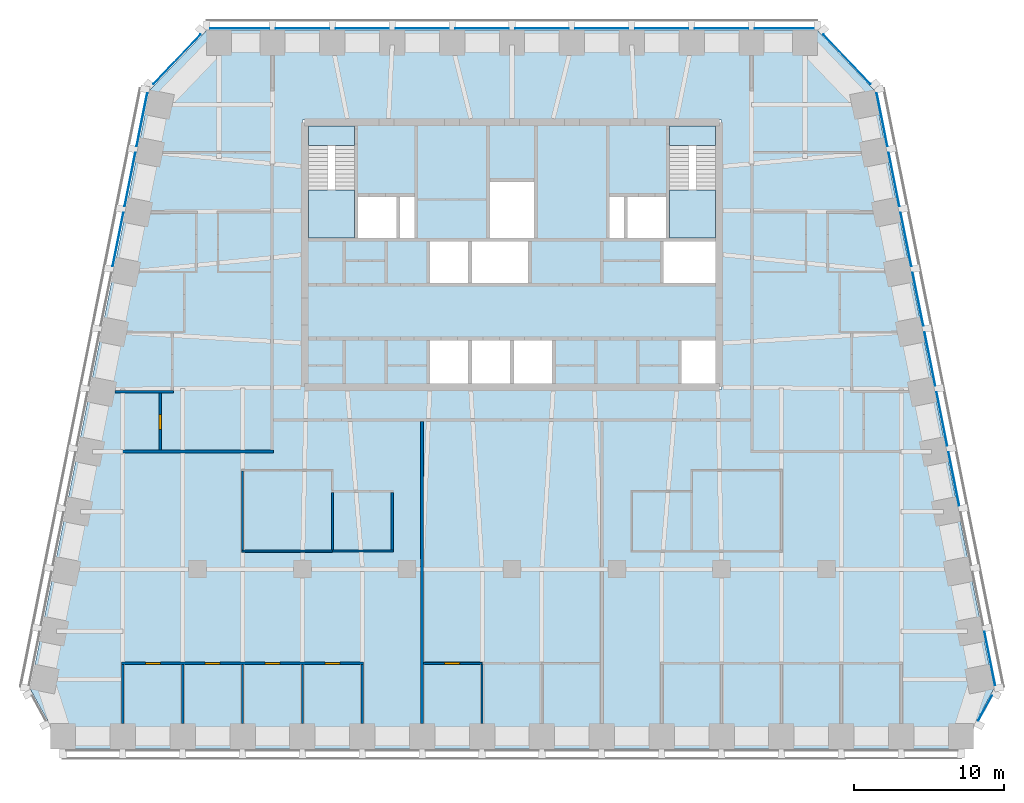
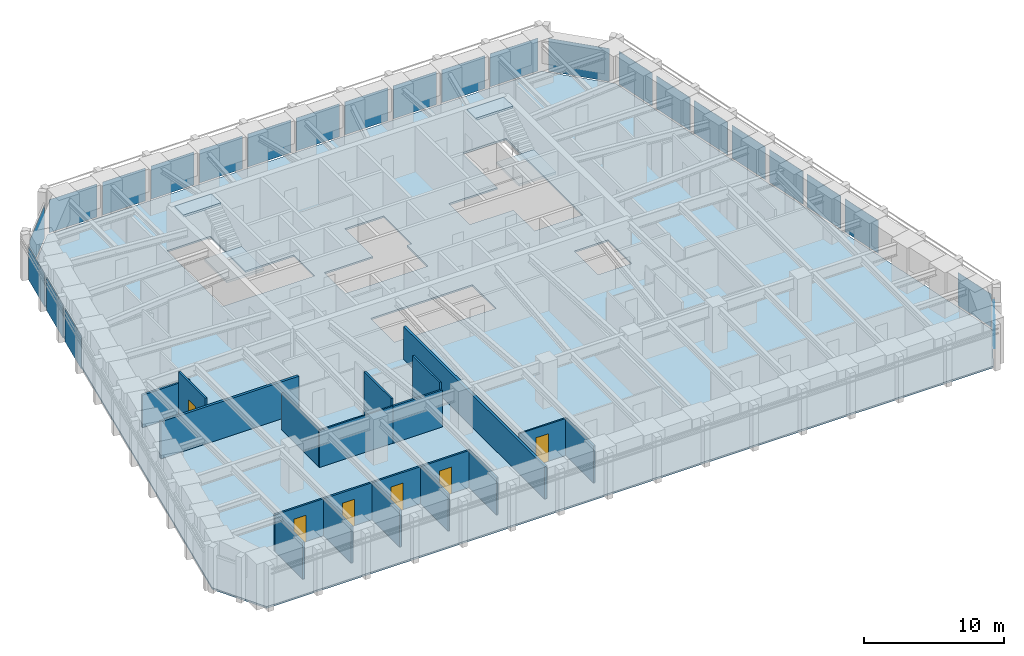
# One storey, part 5 of 11: 24 plates, 17 walls, 6 doors, 5 slabs, 6 openings, 8 elements without a shape of their own.
"""IFC4 building model written with IfcOpenShell, lengths in metres."""

from ifc_helpers import new_model, si_unit, direction, frame, frame_2d, origin, origin_2d, place, context, subcontext, project, spatial, polyline, rectangle, outline, extrude, material, layer, layer_set, type_object, element, fill, aggregate, save


model = new_model("IFC4")

# Units and contexts
model_context = context("Model", 3, precision=1e-05, world=origin(), true_north=direction((0.0, 1.0)))
body_context = subcontext(model_context, "Body", "Model", "MODEL_VIEW")
ifc_project = project(units=[si_unit("LENGTHUNIT", "METRE"), si_unit("AREAUNIT", "SQUARE_METRE"), si_unit("VOLUMEUNIT", "CUBIC_METRE"), si_unit("PLANEANGLEUNIT", "RADIAN"), si_unit("MASSUNIT", "GRAM", prefix="KILO")], contexts=[model_context])

# Site, building, storey
site_placement = place(None, origin())
site = spatial("IfcSite", under=ifc_project, at=site_placement, CompositionType="ELEMENT")
building_placement = place(site_placement, origin())
building = spatial("IfcBuilding", under=site, at=building_placement, Name="Isbrekke Arena Tower", CompositionType="ELEMENT")
storey_placement = place(building_placement, frame((0.0, 0.0, 252.0)))
storey = spatial("IfcBuildingStorey", under=building, at=storey_placement, Name="L58", CompositionType="ELEMENT", Elevation=252.0)

# Curtain wall, plate
ifc_material_1 = material(Name="Glazed aluminium curtain wall", Category="aluminium")
curtain_wall_type = type_object("IfcCurtainWallType", Name="CWT TOWER CURTAIN WALL TOP ZONE", PredefinedType="USERDEFINED", material=ifc_material_1)
curtain_wall_1_placement = place(storey_placement, origin())
curtain_wall_1 = element("IfcCurtainWall", 1, at=curtain_wall_1_placement, inside=storey, type_object=curtain_wall_type, Name="CWT curtain wall L58-SE", ObjectType="TOWER CURTAIN WALL TOP ZONE", PredefinedType="USERDEFINED")
ifc_material_2 = material(Name="Triple-glazed clear glass unit", Category="glass")
ifc_layer_1 = layer(ifc_material_2, 0.031982421875)
ifc_layer_set_1 = layer_set([ifc_layer_1], Name="CWT-P VISION PANEL")
plate_type = type_object("IfcPlateType", Name="CWT-P VISION PANEL", PredefinedType="CURTAIN_PANEL", material=ifc_layer_set_1)
plate_1_placement = place(storey_placement, frame((31.604248046875, -15.29052734375, 0.02001953125), z_axis=(0.0, 0.0, 1.0), x_axis=(0.481918749773, 0.876215908676, 0.0)))
plate_1 = element("IfcPlate", 2, at=plate_1_placement, type_object=plate_type, Name="CWT-P panel 1", PredefinedType="CURTAIN_PANEL", context=body_context, shape_type="SweptSolid", body=[
    extrude(rectangle(XDim=1.876220703125, YDim=0.031982421875, at=origin_2d()), origin(), (0.0, 0.0, 1.0), 2.8798828125),
])
aggregate(curtain_wall_1, [plate_1])

# Curtain wall, plates
curtain_wall_2_placement = place(storey_placement, origin())
curtain_wall_2 = element("IfcCurtainWall", 3, at=curtain_wall_2_placement, inside=storey, type_object=curtain_wall_type, Name="CWT curtain wall L58-E", ObjectType="TOWER CURTAIN WALL TOP ZONE", PredefinedType="USERDEFINED")
plate_2_placement = place(storey_placement, frame((31.922607421875, -11.9755859375, 0.02001953125), z_axis=(0.0, 0.0, 1.0), x_axis=(-0.196116135138, 0.980580675691, 0.0)))
plate_2 = element("IfcPlate", 4, at=plate_2_placement, type_object=plate_type, Name="CWT-P panel 1", PredefinedType="CURTAIN_PANEL", context=body_context, shape_type="SweptSolid", body=[
    extrude(rectangle(XDim=3.629150390625, YDim=0.031982421875, at=origin_2d()), origin(), (0.0, 0.0, 1.0), 2.8798828125),
])
plate_3_placement = place(storey_placement, frame((29.5224609375, 0.0244140625, 0.02001953125), z_axis=(0.0, 0.0, 1.0), x_axis=(-0.196116135138, 0.980580675691, 0.0)))
plate_3 = element("IfcPlate", 5, at=plate_3_placement, type_object=plate_type, Name="CWT-P panel 4", PredefinedType="CURTAIN_PANEL", context=body_context, shape_type="SweptSolid", body=[
    extrude(rectangle(XDim=3.629150390625, YDim=0.031982421875, at=origin_2d()), origin(), (0.0, 0.0, 1.0), 2.8798828125),
])
plate_4_placement = place(storey_placement, frame((28.72265625, 4.0244140625, 0.02001953125), z_axis=(0.0, 0.0, 1.0), x_axis=(-0.196116135138, 0.980580675691, 0.0)))
plate_4 = element("IfcPlate", 6, at=plate_4_placement, type_object=plate_type, Name="CWT-P panel 5", PredefinedType="CURTAIN_PANEL", context=body_context, shape_type="SweptSolid", body=[
    extrude(rectangle(XDim=3.629150390625, YDim=0.031982421875, at=origin_2d()), origin(), (0.0, 0.0, 1.0), 2.8798828125),
])
plate_5_placement = place(storey_placement, frame((27.922607421875, 8.0244140625, 0.02001953125), z_axis=(0.0, 0.0, 1.0), x_axis=(-0.196116135138, 0.980580675691, 0.0)))
plate_5 = element("IfcPlate", 7, at=plate_5_placement, type_object=plate_type, Name="CWT-P panel 6", PredefinedType="CURTAIN_PANEL", context=body_context, shape_type="SweptSolid", body=[
    extrude(rectangle(XDim=3.629150390625, YDim=0.031982421875, at=origin_2d()), origin(), (0.0, 0.0, 1.0), 2.8798828125),
])
plate_6_placement = place(storey_placement, frame((27.12255859375, 12.0244140625, 0.02001953125), z_axis=(0.0, 0.0, 1.0), x_axis=(-0.196116135138, 0.980580675691, 0.0)))
plate_6 = element("IfcPlate", 8, at=plate_6_placement, type_object=plate_type, Name="CWT-P panel 7", PredefinedType="CURTAIN_PANEL", context=body_context, shape_type="SweptSolid", body=[
    extrude(rectangle(XDim=3.629150390625, YDim=0.031982421875, at=origin_2d()), origin(), (0.0, 0.0, 1.0), 2.8798828125),
])
plate_7_placement = place(storey_placement, frame((26.322509765625, 16.0244140625, 0.02001953125), z_axis=(0.0, 0.0, 1.0), x_axis=(-0.196116135138, 0.980580675691, 0.0)))
plate_7 = element("IfcPlate", 9, at=plate_7_placement, type_object=plate_type, Name="CWT-P panel 8", PredefinedType="CURTAIN_PANEL", context=body_context, shape_type="SweptSolid", body=[
    extrude(rectangle(XDim=3.629150390625, YDim=0.031982421875, at=origin_2d()), origin(), (0.0, 0.0, 1.0), 2.8798828125),
])
plate_8_placement = place(storey_placement, frame((25.5224609375, 20.0244140625, 0.02001953125), z_axis=(0.0, 0.0, 1.0), x_axis=(-0.196116135138, 0.980580675691, 0.0)))
plate_8 = element("IfcPlate", 10, at=plate_8_placement, type_object=plate_type, Name="CWT-P panel 9", PredefinedType="CURTAIN_PANEL", context=body_context, shape_type="SweptSolid", body=[
    extrude(rectangle(XDim=3.629150390625, YDim=0.031982421875, at=origin_2d()), origin(), (0.0, 0.0, 1.0), 2.8798828125),
])
plate_9_placement = place(storey_placement, frame((24.72265625, 24.0244140625, 0.02001953125), z_axis=(0.0, 0.0, 1.0), x_axis=(-0.196116135138, 0.980580675691, 0.0)))
plate_9 = element("IfcPlate", 11, at=plate_9_placement, type_object=plate_type, Name="CWT-P panel 10", PredefinedType="CURTAIN_PANEL", context=body_context, shape_type="SweptSolid", body=[
    extrude(rectangle(XDim=3.629150390625, YDim=0.031982421875, at=origin_2d()), origin(), (0.0, 0.0, 1.0), 2.8798828125),
])
aggregate(curtain_wall_2, [plate_2, plate_3, plate_4, plate_5, plate_6, plate_7, plate_8, plate_9])

# Curtain wall, plate
curtain_wall_3_placement = place(storey_placement, origin())
curtain_wall_3 = element("IfcCurtainWall", 12, at=curtain_wall_3_placement, inside=storey, type_object=curtain_wall_type, Name="CWT curtain wall L58-EN", ObjectType="TOWER CURTAIN WALL TOP ZONE", PredefinedType="USERDEFINED")
plate_10_placement = place(storey_placement, frame((22.374755859375, 28.06640625, 0.02001953125), z_axis=(0.0, 0.0, 1.0), x_axis=(-0.68874946192, 0.72499943359, 0.0)))
plate_10 = element("IfcPlate", 13, at=plate_10_placement, type_object=plate_type, Name="CWT-P panel 1", PredefinedType="CURTAIN_PANEL", context=body_context, shape_type="SweptSolid", body=[
    extrude(rectangle(XDim=4.558349609375, YDim=0.031982421875, at=origin_2d()), origin(), (0.0, 0.0, 1.0), 2.8798828125),
])
aggregate(curtain_wall_3, [plate_10])

# Curtain wall, plates
curtain_wall_4_placement = place(storey_placement, origin())
curtain_wall_4 = element("IfcCurtainWall", 14, at=curtain_wall_4_placement, inside=storey, type_object=curtain_wall_type, Name="CWT curtain wall L58-N", ObjectType="TOWER CURTAIN WALL TOP ZONE", PredefinedType="USERDEFINED")
plate_11_placement = place(storey_placement, frame((18.199951171875, 30.125, 0.02001953125), z_axis=(0.0, 0.0, 1.0), x_axis=(-1.0, 0.0, 0.0)))
plate_11 = element("IfcPlate", 15, at=plate_11_placement, type_object=plate_type, Name="CWT-P panel 1", PredefinedType="CURTAIN_PANEL", context=body_context, shape_type="SweptSolid", body=[
    extrude(rectangle(XDim=3.949951171875, YDim=0.031982421875, at=origin_2d()), origin(), (0.0, 0.0, 1.0), 2.8798828125),
])
plate_12_placement = place(storey_placement, frame((14.0, 30.125, 0.02001953125), z_axis=(0.0, 0.0, 1.0), x_axis=(-1.0, 0.0, 0.0)))
plate_12 = element("IfcPlate", 16, at=plate_12_placement, type_object=plate_type, Name="CWT-P panel 2", PredefinedType="CURTAIN_PANEL", context=body_context, shape_type="SweptSolid", body=[
    extrude(rectangle(XDim=3.550048828125, YDim=0.031982421875, at=origin_2d()), origin(), (0.0, 0.0, 1.0), 2.8798828125),
])
plate_13_placement = place(storey_placement, frame((10.0, 30.125, 0.02001953125), z_axis=(0.0, 0.0, 1.0), x_axis=(-1.0, 0.0, 0.0)))
plate_13 = element("IfcPlate", 17, at=plate_13_placement, type_object=plate_type, Name="CWT-P panel 3", PredefinedType="CURTAIN_PANEL", context=body_context, shape_type="SweptSolid", body=[
    extrude(rectangle(XDim=3.550048828125, YDim=0.031982421875, at=origin_2d()), origin(), (0.0, 0.0, 1.0), 2.8798828125),
])
plate_14_placement = place(storey_placement, frame((6.0, 30.125, 0.02001953125), z_axis=(0.0, 0.0, 1.0), x_axis=(-1.0, 0.0, 0.0)))
plate_14 = element("IfcPlate", 18, at=plate_14_placement, type_object=plate_type, Name="CWT-P panel 4", PredefinedType="CURTAIN_PANEL", context=body_context, shape_type="SweptSolid", body=[
    extrude(rectangle(XDim=3.550048828125, YDim=0.031982421875, at=origin_2d()), origin(), (0.0, 0.0, 1.0), 2.8798828125),
])
plate_15_placement = place(storey_placement, frame((2.0, 30.125, 0.02001953125), z_axis=(0.0, 0.0, 1.0), x_axis=(-1.0, 0.0, 0.0)))
plate_15 = element("IfcPlate", 19, at=plate_15_placement, type_object=plate_type, Name="CWT-P panel 5", PredefinedType="CURTAIN_PANEL", context=body_context, shape_type="SweptSolid", body=[
    extrude(rectangle(XDim=3.550048828125, YDim=0.031982421875, at=origin_2d()), origin(), (0.0, 0.0, 1.0), 2.8798828125),
])
plate_16_placement = place(storey_placement, frame((-2.0, 30.125, 0.02001953125), z_axis=(0.0, 0.0, 1.0), x_axis=(-1.0, 0.0, 0.0)))
plate_16 = element("IfcPlate", 20, at=plate_16_placement, type_object=plate_type, Name="CWT-P panel 6", PredefinedType="CURTAIN_PANEL", context=body_context, shape_type="SweptSolid", body=[
    extrude(rectangle(XDim=3.550048828125, YDim=0.031982421875, at=origin_2d()), origin(), (0.0, 0.0, 1.0), 2.8798828125),
])
plate_17_placement = place(storey_placement, frame((-6.0, 30.125, 0.02001953125), z_axis=(0.0, 0.0, 1.0), x_axis=(-1.0, 0.0, 0.0)))
plate_17 = element("IfcPlate", 21, at=plate_17_placement, type_object=plate_type, Name="CWT-P panel 7", PredefinedType="CURTAIN_PANEL", context=body_context, shape_type="SweptSolid", body=[
    extrude(rectangle(XDim=3.550048828125, YDim=0.031982421875, at=origin_2d()), origin(), (0.0, 0.0, 1.0), 2.8798828125),
])
plate_18_placement = place(storey_placement, frame((-10.0, 30.125, 0.02001953125), z_axis=(0.0, 0.0, 1.0), x_axis=(-1.0, 0.0, 0.0)))
plate_18 = element("IfcPlate", 22, at=plate_18_placement, type_object=plate_type, Name="CWT-P panel 8", PredefinedType="CURTAIN_PANEL", context=body_context, shape_type="SweptSolid", body=[
    extrude(rectangle(XDim=3.550048828125, YDim=0.031982421875, at=origin_2d()), origin(), (0.0, 0.0, 1.0), 2.8798828125),
])
plate_19_placement = place(storey_placement, frame((-14.0, 30.125, 0.02001953125), z_axis=(0.0, 0.0, 1.0), x_axis=(-1.0, 0.0, 0.0)))
plate_19 = element("IfcPlate", 23, at=plate_19_placement, type_object=plate_type, Name="CWT-P panel 9", PredefinedType="CURTAIN_PANEL", context=body_context, shape_type="SweptSolid", body=[
    extrude(rectangle(XDim=3.550048828125, YDim=0.031982421875, at=origin_2d()), origin(), (0.0, 0.0, 1.0), 2.8798828125),
])
plate_20_placement = place(storey_placement, frame((-18.199951171875, 30.125, 0.02001953125), z_axis=(0.0, 0.0, 1.0), x_axis=(-1.0, 0.0, 0.0)))
plate_20 = element("IfcPlate", 24, at=plate_20_placement, type_object=plate_type, Name="CWT-P panel 10", PredefinedType="CURTAIN_PANEL", context=body_context, shape_type="SweptSolid", body=[
    extrude(rectangle(XDim=3.949951171875, YDim=0.031982421875, at=origin_2d()), origin(), (0.0, 0.0, 1.0), 2.8798828125),
])
aggregate(curtain_wall_4, [plate_11, plate_12, plate_13, plate_14, plate_15, plate_16, plate_17, plate_18, plate_19, plate_20])

# Curtain wall, plate
curtain_wall_5_placement = place(storey_placement, origin())
curtain_wall_5 = element("IfcCurtainWall", 25, at=curtain_wall_5_placement, inside=storey, type_object=curtain_wall_type, Name="CWT curtain wall L58-NW", ObjectType="TOWER CURTAIN WALL TOP ZONE", PredefinedType="USERDEFINED")
plate_21_placement = place(storey_placement, frame((-22.37451171875, 28.066650390625, 0.02001953125), z_axis=(0.0, 0.0, 1.0), x_axis=(-0.68874946192, -0.72499943359, 0.0)))
plate_21 = element("IfcPlate", 26, at=plate_21_placement, type_object=plate_type, Name="CWT-P panel 1", PredefinedType="CURTAIN_PANEL", context=body_context, shape_type="SweptSolid", body=[
    extrude(rectangle(XDim=4.557373046875, YDim=0.031982421875, at=origin_2d()), origin(), (0.0, 0.0, 1.0), 2.8798828125),
])
aggregate(curtain_wall_5, [plate_21])

# Curtain wall, plates
curtain_wall_6_placement = place(storey_placement, origin())
curtain_wall_6 = element("IfcCurtainWall", 27, at=curtain_wall_6_placement, inside=storey, type_object=curtain_wall_type, Name="CWT curtain wall L58-W", ObjectType="TOWER CURTAIN WALL TOP ZONE", PredefinedType="USERDEFINED")
plate_22_placement = place(storey_placement, frame((-24.72265625, 24.0244140625, 0.02001953125), z_axis=(0.0, 0.0, 1.0), x_axis=(-0.196116135138, -0.980580675691, 0.0)))
plate_22 = element("IfcPlate", 28, at=plate_22_placement, type_object=plate_type, Name="CWT-P panel 1", PredefinedType="CURTAIN_PANEL", context=body_context, shape_type="SweptSolid", body=[
    extrude(rectangle(XDim=3.629150390625, YDim=0.031982421875, at=origin_2d()), origin(), (0.0, 0.0, 1.0), 2.8798828125),
])
plate_23_placement = place(storey_placement, frame((-25.5224609375, 20.0244140625, 0.02001953125), z_axis=(0.0, 0.0, 1.0), x_axis=(-0.196116135138, -0.980580675691, 0.0)))
plate_23 = element("IfcPlate", 29, at=plate_23_placement, type_object=plate_type, Name="CWT-P panel 2", PredefinedType="CURTAIN_PANEL", context=body_context, shape_type="SweptSolid", body=[
    extrude(rectangle(XDim=3.629150390625, YDim=0.031982421875, at=origin_2d()), origin(), (0.0, 0.0, 1.0), 2.8798828125),
])
plate_24_placement = place(storey_placement, frame((-26.322509765625, 16.0244140625, 0.02001953125), z_axis=(0.0, 0.0, 1.0), x_axis=(-0.196116135138, -0.980580675691, 0.0)))
plate_24 = element("IfcPlate", 30, at=plate_24_placement, type_object=plate_type, Name="CWT-P panel 3", PredefinedType="CURTAIN_PANEL", context=body_context, shape_type="SweptSolid", body=[
    extrude(rectangle(XDim=3.629150390625, YDim=0.031982421875, at=origin_2d()), origin(), (0.0, 0.0, 1.0), 2.8798828125),
])
aggregate(curtain_wall_6, [plate_22, plate_23, plate_24])

# Slab
ifc_material_3 = material(Name="Concrete B35 (C35/45)", Category="concrete")
ifc_layer_2 = layer(ifc_material_3, 0.14990234375)
ifc_layer_set_2 = layer_set([ifc_layer_2], Name="FS1 COMPOSITE FLOOR 150")
slab_type_1 = type_object("IfcSlabType", Name="FS1 COMPOSITE FLOOR 150", PredefinedType="FLOOR", material=ifc_layer_set_2)
slab_1_placement = place(storey_placement, frame((0.0, 0.0, -0.14990234375)))
element("IfcSlab", 31, at=slab_1_placement, inside=storey, type_object=slab_type_1, Name="FS1 floor slab L58", PredefinedType="FLOOR", context=body_context, shape_type="SweptSolid", body=[
    extrude(outline(polyline([(-30.0, -18.0), (30.0, -18.0), (32.199951171875, -14.0), (24.199951171875, 26.0), (20.39990234375, 30.0), (-20.39990234375, 30.0), (-24.199951171875, 26.0), (-32.199951171875, -14.0), (-30.0, -18.0)]), holes=[polyline([(2.800048828125, 9.39990234375), (2.800048828125, 6.0), (-5.60009765625, 6.0), (-5.60009765625, 9.39990234375), (2.800048828125, 9.39990234375)]), polyline([(11.199951171875, 6.0), (11.199951171875, 9.39990234375), (14.0, 9.39990234375), (14.0, 6.0), (11.199951171875, 6.0)]), polyline([(-5.60009765625, 13.0), (-5.60009765625, 16.0), (-1.60009765625, 16.0), (-1.60009765625, 20.0), (1.60009765625, 20.0), (1.60009765625, 16.0), (1.199951171875, 16.0), (1.199951171875, 13.0), (-5.60009765625, 13.0)]), polyline([(14.0, 13.0), (10.0, 13.0), (10.0, 16.0), (6.39990234375, 16.0), (6.39990234375, 19.0), (10.39990234375, 19.0), (10.39990234375, 24.0), (14.0, 24.0), (14.0, 13.0)]), polyline([(-6.39990234375, 19.0), (-6.39990234375, 16.0), (-14.0, 16.0), (-14.0, 24.0), (-10.39990234375, 24.0), (-10.39990234375, 19.0), (-6.39990234375, 19.0)])]), origin(), (0.0, 0.0, 1.0), 0.14990234375),
])

# Stair, slabs
ifc_material_4 = material(Name="Concrete B45 (C45/55) precast", Category="concrete")
stair_type = type_object("IfcStairType", Name="ST40 STAIR 1300 WIDE, 24 RISERS 167", PredefinedType="HALF_TURN_STAIR", material=ifc_material_4)
stair_1_placement = place(storey_placement, origin())
stair_1 = element("IfcStair", 32, at=stair_1_placement, inside=storey, type_object=stair_type, Name="ST1 stair L58", PredefinedType="HALF_TURN_STAIR")
ifc_material_5 = material(Name="Concrete B35 (C35/45)", Category="concrete")
ifc_layer_3 = layer(ifc_material_5, 0.199951171875)
ifc_layer_set_3 = layer_set([ifc_layer_3], Name="SL1 STAIR LANDING 200")
slab_type_2 = type_object("IfcSlabType", Name="SL1 STAIR LANDING 200", PredefinedType="LANDING", material=ifc_layer_set_3)
slab_2_placement = place(storey_placement, frame((0.0, 0.0, 1.800048828125)))
slab_2 = element("IfcSlab", 33, at=slab_2_placement, type_object=slab_type_2, Name="ST1 landing 1", PredefinedType="LANDING", context=body_context, shape_type="SweptSolid", body=[
    extrude(outline(polyline([(-13.60009765625, 16.125), (-10.52490234375, 16.125), (-10.52490234375, 19.330078125), (-13.60009765625, 19.330078125), (-13.60009765625, 16.125)])), origin(), (0.0, 0.0, 1.0), 0.199951171875),
])
slab_3_placement = place(storey_placement, frame((0.0, 0.0, 3.800048828125)))
slab_3 = element("IfcSlab", 34, at=slab_3_placement, type_object=slab_type_2, Name="ST1 landing 2", PredefinedType="LANDING", context=body_context, shape_type="SweptSolid", body=[
    extrude(outline(polyline([(-13.60009765625, 22.300048828125), (-10.52490234375, 22.300048828125), (-10.52490234375, 23.60009765625), (-13.60009765625, 23.60009765625), (-13.60009765625, 22.300048828125)])), origin(), (0.0, 0.0, 1.0), 0.199951171875),
])
aggregate(stair_1, [slab_2, slab_3])

stair_2_placement = place(storey_placement, origin())
stair_2 = element("IfcStair", 35, at=stair_2_placement, inside=storey, type_object=stair_type, Name="ST2 stair L58", PredefinedType="HALF_TURN_STAIR")
slab_4_placement = place(storey_placement, frame((0.0, 0.0, 1.800048828125)))
slab_4 = element("IfcSlab", 36, at=slab_4_placement, type_object=slab_type_2, Name="ST2 landing 1", PredefinedType="LANDING", context=body_context, shape_type="SweptSolid", body=[
    extrude(outline(polyline([(10.52490234375, 16.125), (13.60009765625, 16.125), (13.60009765625, 19.330078125), (10.52490234375, 19.330078125), (10.52490234375, 16.125)])), origin(), (0.0, 0.0, 1.0), 0.199951171875),
])
slab_5_placement = place(storey_placement, frame((0.0, 0.0, 3.800048828125)))
slab_5 = element("IfcSlab", 37, at=slab_5_placement, type_object=slab_type_2, Name="ST2 landing 2", PredefinedType="LANDING", context=body_context, shape_type="SweptSolid", body=[
    extrude(outline(polyline([(10.52490234375, 22.300048828125), (13.60009765625, 22.300048828125), (13.60009765625, 23.60009765625), (10.52490234375, 23.60009765625), (10.52490234375, 22.300048828125)])), origin(), (0.0, 0.0, 1.0), 0.199951171875),
])
aggregate(stair_2, [slab_4, slab_5])

# Wall, openings, doors
ifc_material_6 = material(Name="Gypsum board partition on steel studs", Category="steel")
ifc_layer_4 = layer(ifc_material_6, 0.14990234375)
ifc_layer_set_4 = layer_set([ifc_layer_4], Name="IW1 PARTITION 150")
wall_type_1 = type_object("IfcWallType", Name="IW1 PARTITION 150", PredefinedType="PARTITIONING", material=ifc_layer_set_4)
wall_1_placement = place(storey_placement, frame((-26.074951171875, -12.300048828125, 0.0), z_axis=(0.0, 0.0, 1.0), x_axis=(1.0, 0.0, 0.0)))
wall_1 = element("IfcWall", 38, at=wall_1_placement, inside=storey, type_object=wall_type_1, Name="IW1 partition 150 L58", PredefinedType="PARTITIONING", context=body_context, shape_type="SweptSolid", body=[
    extrude(rectangle(XDim=16.14990234375, YDim=0.14990234375, at=frame_2d((8.074951171875, 0.0))), origin(), (0.0, 0.0, 1.0), 3.22998046875),
])
opening_1_placement = place(wall_1_placement, frame((1.574951171875, 0.0, 0.0)))
opening_1 = element("IfcOpeningElement", 39, at=opening_1_placement, cuts=wall_1, Name="Opening D10", PredefinedType="OPENING", context=body_context, shape_type="SweptSolid", body=[
    extrude(rectangle(XDim=1.0, YDim=2.300048828125, at=frame_2d((0.5, 1.14990234375))), frame((0.0, 0.08984375, 0.0), z_axis=(0.0, -1.0, 0.0), x_axis=(1.0, 0.0, 0.0)), (0.0, 0.0, 1.0), 0.1796875),
])
opening_2_placement = place(wall_1_placement, frame((5.574951171875, 0.0, 0.0)))
opening_2 = element("IfcOpeningElement", 40, at=opening_2_placement, cuts=wall_1, Name="Opening D10", PredefinedType="OPENING", context=body_context, shape_type="SweptSolid", body=[
    extrude(rectangle(XDim=1.0, YDim=2.300048828125, at=frame_2d((0.5, 1.14990234375))), frame((0.0, 0.08984375, 0.0), z_axis=(0.0, -1.0, 0.0), x_axis=(1.0, 0.0, 0.0)), (0.0, 0.0, 1.0), 0.1796875),
])
opening_3_placement = place(wall_1_placement, frame((9.574951171875, 0.0, 0.0)))
opening_3 = element("IfcOpeningElement", 41, at=opening_3_placement, cuts=wall_1, Name="Opening D10", PredefinedType="OPENING", context=body_context, shape_type="SweptSolid", body=[
    extrude(rectangle(XDim=1.0, YDim=2.300048828125, at=frame_2d((0.5, 1.14990234375))), frame((0.0, 0.08984375, 0.0), z_axis=(0.0, -1.0, 0.0), x_axis=(1.0, 0.0, 0.0)), (0.0, 0.0, 1.0), 0.1796875),
])
opening_4_placement = place(wall_1_placement, frame((13.574951171875, 0.0, 0.0)))
opening_4 = element("IfcOpeningElement", 42, at=opening_4_placement, cuts=wall_1, Name="Opening D10", PredefinedType="OPENING", context=body_context, shape_type="SweptSolid", body=[
    extrude(rectangle(XDim=1.0, YDim=2.300048828125, at=frame_2d((0.5, 1.14990234375))), frame((0.0, 0.08984375, 0.0), z_axis=(0.0, -1.0, 0.0), x_axis=(1.0, 0.0, 0.0)), (0.0, 0.0, 1.0), 0.1796875),
])
ifc_material_7 = material(Name="Timber door", Category="wood")
door_type_1 = type_object("IfcDoorType", Name="D10 OFFICE DOOR 1000 x 2300", OperationType="SINGLE_SWING_LEFT", PredefinedType="DOOR", material=ifc_material_7)
door_1_placement = place(opening_1_placement, origin())
door_1 = element("IfcDoor", 43, at=door_1_placement, inside=storey, type_object=door_type_1, Name="D10 office door L58", OperationType="SINGLE_SWING_LEFT", OverallHeight=2.300048828125, OverallWidth=1.0, PredefinedType="DOOR", context=body_context, shape_type="SweptSolid", body=[
    extrude(rectangle(XDim=1.0, YDim=2.300048828125, at=frame_2d((0.5, 1.14990234375))), frame((0.0, 0.07470703125, 0.0), z_axis=(0.0, -1.0, 0.0), x_axis=(1.0, 0.0, 0.0)), (0.0, 0.0, 1.0), 0.1494140625),
])
fill(opening_1, door_1)
door_2_placement = place(opening_2_placement, origin())
door_2 = element("IfcDoor", 44, at=door_2_placement, inside=storey, type_object=door_type_1, Name="D10 office door L58", OperationType="SINGLE_SWING_LEFT", OverallHeight=2.300048828125, OverallWidth=1.0, PredefinedType="DOOR", context=body_context, shape_type="SweptSolid", body=[
    extrude(rectangle(XDim=1.0, YDim=2.300048828125, at=frame_2d((0.5, 1.14990234375))), frame((0.0, 0.07470703125, 0.0), z_axis=(0.0, -1.0, 0.0), x_axis=(1.0, 0.0, 0.0)), (0.0, 0.0, 1.0), 0.1494140625),
])
fill(opening_2, door_2)
door_3_placement = place(opening_3_placement, origin())
door_3 = element("IfcDoor", 45, at=door_3_placement, inside=storey, type_object=door_type_1, Name="D10 office door L58", OperationType="SINGLE_SWING_LEFT", OverallHeight=2.300048828125, OverallWidth=1.0, PredefinedType="DOOR", context=body_context, shape_type="SweptSolid", body=[
    extrude(rectangle(XDim=1.0, YDim=2.300048828125, at=frame_2d((0.5, 1.14990234375))), frame((0.0, 0.07470703125, 0.0), z_axis=(0.0, -1.0, 0.0), x_axis=(1.0, 0.0, 0.0)), (0.0, 0.0, 1.0), 0.1494140625),
])
fill(opening_3, door_3)
door_4_placement = place(opening_4_placement, origin())
door_4 = element("IfcDoor", 46, at=door_4_placement, inside=storey, type_object=door_type_1, Name="D10 office door L58", OperationType="SINGLE_SWING_LEFT", OverallHeight=2.300048828125, OverallWidth=1.0, PredefinedType="DOOR", context=body_context, shape_type="SweptSolid", body=[
    extrude(rectangle(XDim=1.0, YDim=2.300048828125, at=frame_2d((0.5, 1.14990234375))), frame((0.0, 0.07470703125, 0.0), z_axis=(0.0, -1.0, 0.0), x_axis=(1.0, 0.0, 0.0)), (0.0, 0.0, 1.0), 0.1494140625),
])
fill(opening_4, door_4)

# Walls
wall_2_placement = place(storey_placement, frame((-12.0, -4.800048828125, 0.0), z_axis=(0.0, 0.0, 1.0), x_axis=(1.0, 0.0, 0.0)))
element("IfcWall", 47, at=wall_2_placement, inside=storey, type_object=wall_type_1, Name="IW1 partition 150 L58", PredefinedType="PARTITIONING", context=body_context, shape_type="SweptSolid", body=[
    extrude(rectangle(XDim=4.074951171875, YDim=0.14990234375, at=frame_2d((2.03759765625, 0.0))), origin(), (0.0, 0.0, 1.0), 3.22998046875),
])
wall_3_placement = place(storey_placement, frame((-26.523681640625, 5.840087890625, 0.0), z_axis=(0.0, 0.0, 1.0), x_axis=(1.0, 0.0, 0.0)))
element("IfcWall", 48, at=wall_3_placement, inside=storey, type_object=wall_type_1, Name="IW1 partition 150 L58", PredefinedType="PARTITIONING", context=body_context, shape_type="SweptSolid", body=[
    extrude(rectangle(XDim=3.898681640625, YDim=0.14990234375, at=frame_2d((1.94921875, 0.0))), origin(), (0.0, 0.0, 1.0), 2.842041015625),
])
wall_4_placement = place(storey_placement, frame((-26.0, -16.324951171875, 0.0), z_axis=(0.0, 0.0, 1.0), x_axis=(0.0, 1.0, 0.0)))
element("IfcWall", 49, at=wall_4_placement, inside=storey, type_object=wall_type_1, Name="IW1 partition 150 L58", PredefinedType="PARTITIONING", context=body_context, shape_type="SweptSolid", body=[
    extrude(rectangle(XDim=3.949951171875, YDim=0.14990234375, at=frame_2d((1.97509765625, 0.0))), origin(), (0.0, 0.0, 1.0), 3.22998046875),
])

# Wall, opening, door
wall_5_placement = place(storey_placement, frame((-23.5, 1.93994140625, 0.0), z_axis=(0.0, 0.0, 1.0), x_axis=(0.0, 1.0, 0.0)))
wall_5 = element("IfcWall", 50, at=wall_5_placement, inside=storey, type_object=wall_type_1, Name="IW1 partition 150 L58", PredefinedType="PARTITIONING", context=body_context, shape_type="SweptSolid", body=[
    extrude(rectangle(XDim=3.824951171875, YDim=0.14990234375, at=frame_2d((1.91259765625, 0.0))), origin(), (0.0, 0.0, 1.0), 3.85009765625),
])
opening_5_placement = place(wall_5_placement, frame((1.39990234375, 0.0, 0.0)))
opening_5 = element("IfcOpeningElement", 51, at=opening_5_placement, cuts=wall_5, Name="Opening D10", PredefinedType="OPENING", context=body_context, shape_type="SweptSolid", body=[
    extrude(rectangle(XDim=1.0, YDim=2.300048828125, at=frame_2d((0.5, 1.14990234375))), frame((0.0, 0.08984375, 0.0), z_axis=(0.0, -1.0, 0.0), x_axis=(1.0, 0.0, 0.0)), (0.0, 0.0, 1.0), 0.1796875),
])
door_5_placement = place(opening_5_placement, origin())
door_5 = element("IfcDoor", 52, at=door_5_placement, inside=storey, type_object=door_type_1, Name="D10 office door L58", OperationType="SINGLE_SWING_LEFT", OverallHeight=2.300048828125, OverallWidth=1.0, PredefinedType="DOOR", context=body_context, shape_type="SweptSolid", body=[
    extrude(rectangle(XDim=1.0, YDim=2.300048828125, at=frame_2d((0.5, 1.14990234375))), frame((0.0, 0.07470703125, 0.0), z_axis=(0.0, -1.0, 0.0), x_axis=(1.0, 0.0, 0.0)), (0.0, 0.0, 1.0), 0.1494140625),
])
fill(opening_5, door_5)

# Walls
for number, where, z_axis, x_axis, name in (
    (53, (-22.0, -16.324951171875, 0.0), (0.0, 0.0, 1.0), (0.0, 1.0, 0.0), "IW1 partition 150 L58"),
    (54, (-18.0, -16.324951171875, 0.0), (0.0, 0.0, 1.0), (0.0, 1.0, 0.0), "IW1 partition 150 L58"),
    (55, (-14.0, -16.324951171875, 0.0), (0.0, 0.0, 1.0), (0.0, 1.0, 0.0), "IW1 partition 150 L58"),
):
    element("IfcWall", number, at=place(storey_placement, frame(where, z_axis=z_axis, x_axis=x_axis)), inside=storey, type_object=wall_type_1, Name=name, PredefinedType="PARTITIONING", context=body_context, shape_type="SweptSolid", body=[
        extrude(rectangle(XDim=3.949951171875, YDim=0.14990234375, at=frame_2d((1.97509765625, 0.0))), origin(), (0.0, 0.0, 1.0), 3.22998046875),
    ])
wall_6_placement = place(storey_placement, frame((-12.0, -4.72509765625, 0.0), z_axis=(0.0, 0.0, 1.0), x_axis=(0.0, 1.0, 0.0)))
element("IfcWall", 56, at=wall_6_placement, inside=storey, type_object=wall_type_1, Name="IW1 partition 150 L58", PredefinedType="PARTITIONING", context=body_context, shape_type="SweptSolid", body=[
    extrude(rectangle(XDim=3.85009765625, YDim=0.14990234375, at=frame_2d((1.925048828125, 0.0))), origin(), (0.0, 0.0, 1.0), 3.85009765625),
])
wall_7_placement = place(storey_placement, frame((-10.0, -16.324951171875, 0.0), z_axis=(0.0, 0.0, 1.0), x_axis=(0.0, 1.0, 0.0)))
element("IfcWall", 57, at=wall_7_placement, inside=storey, type_object=wall_type_1, Name="IW1 partition 150 L58", PredefinedType="PARTITIONING", context=body_context, shape_type="SweptSolid", body=[
    extrude(rectangle(XDim=3.949951171875, YDim=0.14990234375, at=frame_2d((1.97509765625, 0.0))), origin(), (0.0, 0.0, 1.0), 3.22998046875),
])
wall_8_placement = place(storey_placement, frame((-8.0, -4.72509765625, 0.0), z_axis=(0.0, 0.0, 1.0), x_axis=(0.0, 1.0, 0.0)))
element("IfcWall", 58, at=wall_8_placement, inside=storey, type_object=wall_type_1, Name="IW1 partition 150 L58", PredefinedType="PARTITIONING", context=body_context, shape_type="SweptSolid", body=[
    extrude(rectangle(XDim=3.85009765625, YDim=0.14990234375, at=frame_2d((1.925048828125, 0.0))), origin(), (0.0, 0.0, 1.0), 3.85009765625),
])
wall_9_placement = place(storey_placement, frame((-2.0, -16.324951171875, 0.0), z_axis=(0.0, 0.0, 1.0), x_axis=(0.0, 1.0, 0.0)))
element("IfcWall", 59, at=wall_9_placement, inside=storey, type_object=wall_type_1, Name="IW1 partition 150 L58", PredefinedType="PARTITIONING", context=body_context, shape_type="SweptSolid", body=[
    extrude(rectangle(XDim=3.949951171875, YDim=0.14990234375, at=frame_2d((1.97509765625, 0.0))), origin(), (0.0, 0.0, 1.0), 3.22998046875),
])

# Wall, opening, door
ifc_material_8 = material(Name="Frameless glazed partition, laminated acoustic glass", Category="glass")
ifc_layer_5 = layer(ifc_material_8, 0.1201171875)
ifc_layer_set_5 = layer_set([ifc_layer_5], Name="IW2 GLAZED PARTITION 120")
wall_type_2 = type_object("IfcWallType", Name="IW2 GLAZED PARTITION 120", PredefinedType="PARTITIONING", material=ifc_layer_set_5)
wall_10_placement = place(storey_placement, frame((-5.89990234375, -12.300048828125, 0.0), z_axis=(0.0, 0.0, 1.0), x_axis=(1.0, 0.0, 0.0)))
wall_10 = element("IfcWall", 60, at=wall_10_placement, inside=storey, type_object=wall_type_2, Name="IW2 glazed partition 120 L58", PredefinedType="PARTITIONING", context=body_context, shape_type="SweptSolid", body=[
    extrude(rectangle(XDim=3.89990234375, YDim=0.1201171875, at=frame_2d((1.949951171875, 0.0))), origin(), (0.0, 0.0, 1.0), 3.22998046875),
])
opening_6_placement = place(wall_10_placement, frame((1.39990234375, 0.0, 0.0)))
opening_6 = element("IfcOpeningElement", 61, at=opening_6_placement, cuts=wall_10, Name="Opening D11", PredefinedType="OPENING", context=body_context, shape_type="SweptSolid", body=[
    extrude(rectangle(XDim=1.0, YDim=2.39990234375, at=frame_2d((0.5, 1.199951171875))), frame((0.0, 0.074951171875, 0.0), z_axis=(0.0, -1.0, 0.0), x_axis=(1.0, 0.0, 0.0)), (0.0, 0.0, 1.0), 0.14990234375),
])
ifc_material_9 = material(Name="Frameless glazed door", Category="glass")
door_type_2 = type_object("IfcDoorType", Name="D11 GLAZED MEETING ROOM DOOR 1000 x 2400", OperationType="SINGLE_SWING_RIGHT", PredefinedType="DOOR", material=ifc_material_9)
door_6_placement = place(opening_6_placement, origin())
door_6 = element("IfcDoor", 62, at=door_6_placement, inside=storey, type_object=door_type_2, Name="D11 meeting room door L58", OperationType="SINGLE_SWING_RIGHT", OverallHeight=2.39990234375, OverallWidth=1.0, PredefinedType="DOOR", context=body_context, shape_type="SweptSolid", body=[
    extrude(rectangle(XDim=1.0, YDim=2.39990234375, at=frame_2d((0.5, 1.199951171875))), frame((0.0, 0.059814453125, 0.0), z_axis=(0.0, -1.0, 0.0), x_axis=(1.0, 0.0, 0.0)), (0.0, 0.0, 1.0), 0.11962890625),
])
fill(opening_6, door_6)

# Walls
wall_11_placement = place(storey_placement, frame((-18.06005859375, -4.800048828125, 0.0), z_axis=(0.0, 0.0, 1.0), x_axis=(1.0, 0.0, 0.0)))
element("IfcWall", 63, at=wall_11_placement, inside=storey, type_object=wall_type_2, Name="IW2 glazed partition 120 L58", PredefinedType="PARTITIONING", context=body_context, shape_type="SweptSolid", body=[
    extrude(rectangle(XDim=6.06005859375, YDim=0.1201171875, at=frame_2d((3.030029296875, 0.0))), origin(), (0.0, 0.0, 1.0), 3.22998046875),
])
wall_12_placement = place(storey_placement, frame((-18.0, -4.739990234375, 0.0), z_axis=(0.0, 0.0, 1.0), x_axis=(0.0, 1.0, 0.0)))
element("IfcWall", 64, at=wall_12_placement, inside=storey, type_object=wall_type_2, Name="IW2 glazed partition 120 L58", PredefinedType="PARTITIONING", context=body_context, shape_type="SweptSolid", body=[
    extrude(rectangle(XDim=5.280029296875, YDim=0.1201171875, at=frame_2d((2.64013671875, 0.0))), origin(), (0.0, 0.0, 1.0), 3.22998046875),
])
ifc_material_10 = material(Name="Gypsum board fire-cell wall on steel studs, two layers each side", Category="steel")
ifc_layer_6 = layer(ifc_material_10, 0.199951171875)
ifc_layer_set_6 = layer_set([ifc_layer_6], Name="IW3 FIRE-CELL WALL 200")
wall_type_3 = type_object("IfcWallType", Name="IW3 FIRE-CELL WALL 200", PredefinedType="PARTITIONING", material=ifc_layer_set_6)
wall_13_placement = place(storey_placement, frame((-27.32373046875, 1.840087890625, 0.0), z_axis=(0.0, 0.0, 1.0), x_axis=(1.0, 0.0, 0.0)))
element("IfcWall", 65, at=wall_13_placement, inside=storey, type_object=wall_type_3, Name="IW3 fire-cell wall 200 L58", PredefinedType="PARTITIONING", context=body_context, shape_type="SweptSolid", body=[
    extrude(rectangle(XDim=11.373779296875, YDim=0.199951171875, at=frame_2d((5.68701171875, 0.0))), origin(), (0.0, 0.0, 1.0), 3.22998046875),
])
wall_14_placement = place(storey_placement, frame((-6.0, -16.324951171875, 0.0), z_axis=(0.0, 0.0, 1.0), x_axis=(0.0, 1.0, 0.0)))
element("IfcWall", 66, at=wall_14_placement, inside=storey, type_object=wall_type_3, Name="IW3 fire-cell wall 200 L58", PredefinedType="PARTITIONING", context=body_context, shape_type="SweptSolid", body=[
    extrude(rectangle(XDim=20.175048828125, YDim=0.199951171875, at=frame_2d((10.08740234375, 0.0))), origin(), (0.0, 0.0, 1.0), 2.842041015625),
])

save(model, "model.ifc")
